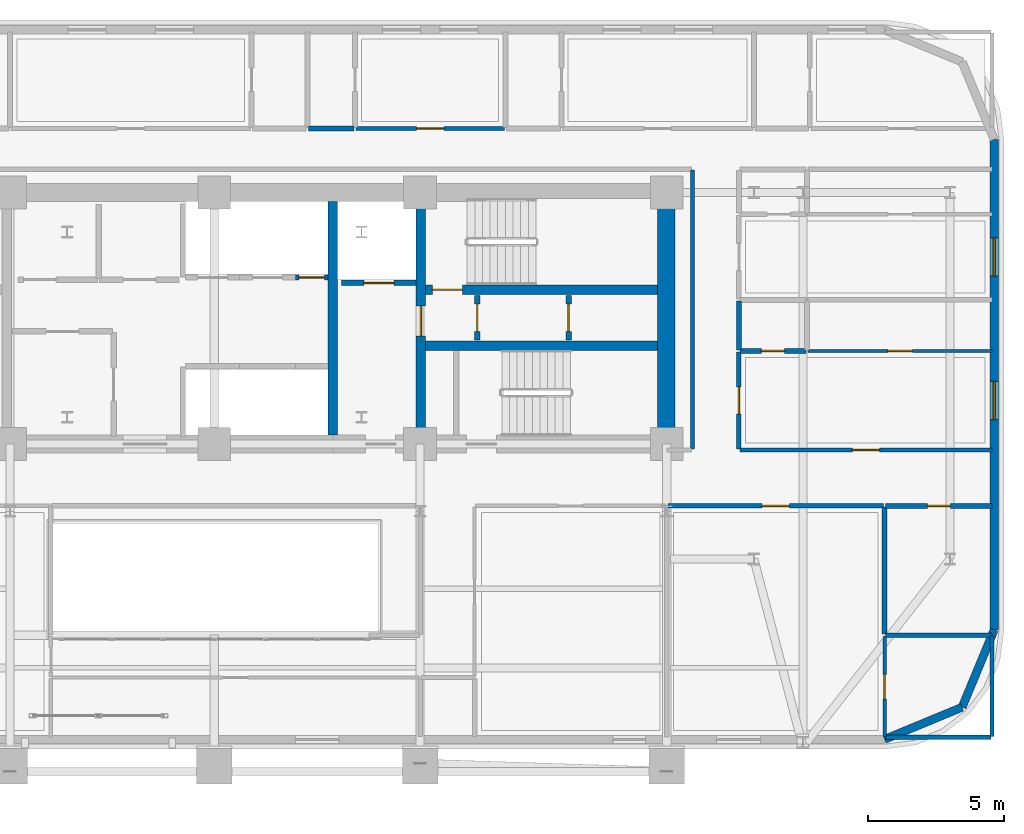
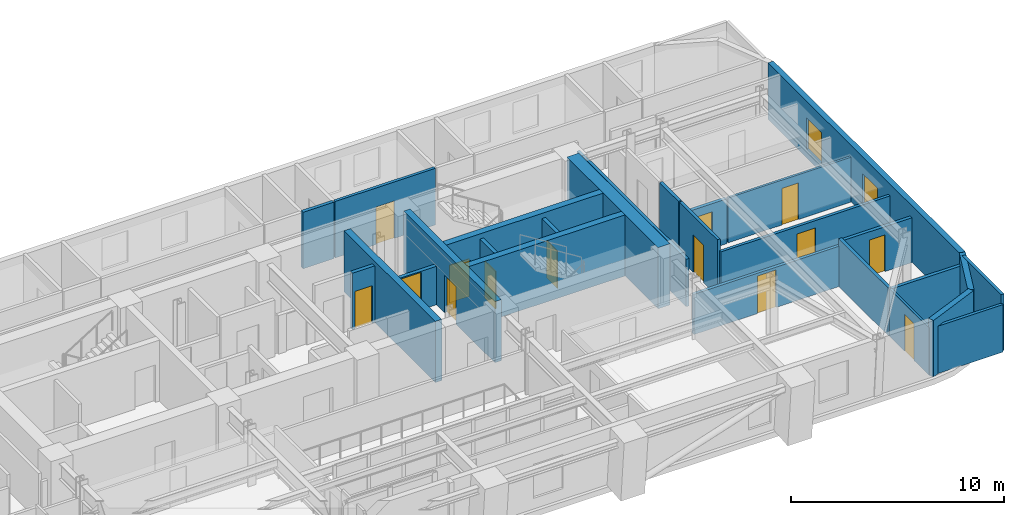
# One storey, part 11 of 15: 27 walls, 14 doors, 2 windows, 16 openings.
"""IFC4 building model written with IfcOpenShell, lengths in metres."""

import ifcopenshell
import ifcopenshell.guid

model = None  # the IFC model being written
_history = None  # IfcOwnerHistory: only IFC2X3 demands one
_inside = {}  # id of a spatial element -> (the spatial element, [elements in it])
_under = {}  # id of a project, library or spatial element -> (it, [spatial elements below it])
_declared = {}  # id of a project -> (the project, [libraries it declares])
_typed = {}  # id of a type object -> (the type object, [elements of that type])
_made_of = {}  # id of a material, layer set ... -> (it, [elements and type objects made of it])


def new_model(schema):
    """Start an empty IFC model of exactly this schema.

    Asked for "IFC4X3", IfcOpenShell would pick the latest addendum, in which some entities
    have other attributes; the version numbers below select the first issue.
    IFC2X3 requires an IfcOwnerHistory on every rooted entity: one is made here for all.
    """
    global model, _history
    if schema == "IFC4X3":
        model = ifcopenshell.file(schema_version=(4, 3, 0, 0))
    else:
        model = ifcopenshell.file(schema=schema)
    _inside.clear()
    _under.clear()
    _declared.clear()
    _typed.clear()
    _made_of.clear()
    _history = None
    if model.schema == "IFC2X3":
        org = make("IfcOrganization", Name="unknown")
        user = make(
            "IfcPersonAndOrganization",
            ThePerson=make("IfcPerson", FamilyName="unknown"),
            TheOrganization=org,
        )
        app = make(
            "IfcApplication",
            ApplicationDeveloper=org,
            Version="unknown",
            ApplicationFullName="unknown",
            ApplicationIdentifier="unknown",
        )
        _history = make(
            "IfcOwnerHistory",
            OwningUser=user,
            OwningApplication=app,
            ChangeAction="ADDED",
            CreationDate=0,
        )
    return model


def make(cls, **values):
    """One entity of the class cls with the attributes given. An attribute that is None is left unset."""
    return model.create_entity(
        cls, **{name: value for name, value in values.items() if value is not None}
    )


def rooted(cls, **values):
    """An entity with a GlobalId (a new one), such as an element, a storey or a relation."""
    return make(cls, GlobalId=ifcopenshell.guid.new(), OwnerHistory=_history, **values)


def si_unit(unit_type, name, prefix=None):
    """IfcSIUnit, for example si_unit("LENGTHUNIT", "METRE", prefix="MILLI")."""
    return make("IfcSIUnit", UnitType=unit_type, Prefix=prefix, Name=name)


def assignment(units):
    """IfcUnitAssignment: the units of a project."""
    return None if units is None else make("IfcUnitAssignment", Units=units)


def point(xyz):
    """IfcCartesianPoint."""
    return None if xyz is None else make("IfcCartesianPoint", Coordinates=xyz)


def direction(xyz):
    """IfcDirection."""
    return None if xyz is None else make("IfcDirection", DirectionRatios=xyz)


def frame(location, z_axis=None, x_axis=None):
    """IfcAxis2Placement3D, a coordinate frame: its origin and axes. An axis left out is left unset."""
    return make(
        "IfcAxis2Placement3D",
        Location=point(location),
        Axis=direction(z_axis),
        RefDirection=direction(x_axis),
    )


def frame_2d(location, x_axis=None):
    """IfcAxis2Placement2D, a coordinate frame in the plane: its origin and x axis."""
    return make(
        "IfcAxis2Placement2D", Location=point(location), RefDirection=direction(x_axis)
    )


def origin():
    """The frame at (0, 0, 0) with its axes left unset."""
    return frame((0.0, 0.0, 0.0))


def place(relative_to, where):
    """IfcLocalPlacement: puts the frame where relative to a parent placement (None: the world)."""
    return make(
        "IfcLocalPlacement", PlacementRelTo=relative_to, RelativePlacement=where
    )


def context(
    kind, dimensions, precision=None, world=None, true_north=None, identifier=None
):
    """IfcGeometricRepresentationContext, for example the 3D "Model" context."""
    return make(
        "IfcGeometricRepresentationContext",
        ContextIdentifier=identifier,
        ContextType=kind,
        CoordinateSpaceDimension=dimensions,
        Precision=precision,
        WorldCoordinateSystem=world,
        TrueNorth=true_north,
    )


def subcontext(parent, identifier, kind, view, scale=None):
    """IfcGeometricRepresentationSubContext, for example "Body" below "Model"."""
    return make(
        "IfcGeometricRepresentationSubContext",
        ContextIdentifier=identifier,
        ContextType=kind,
        ParentContext=parent,
        TargetScale=scale,
        TargetView=view,
    )


def project(units=None, contexts=None):
    """IfcProject with its units and contexts."""
    return rooted(
        "IfcProject",
        Name="project",
        RepresentationContexts=contexts,
        UnitsInContext=assignment(units),
    )


def spatial(cls, under=None, at=None, **own):
    """A site, building, storey or space (cls), placed at a placement, below another one or the project."""
    s = rooted(cls, ObjectPlacement=at, **own)
    if under is not None:
        _under.setdefault(under.id(), (under, []))[1].append(s)
    return s


def profile(cls, at=None, kind="AREA", **sizes):
    """A parametric profile (cls). Its sizes go by their IFC names, for example OverallWidth=200.0."""
    return make(cls, ProfileType=kind, Position=at, **sizes)


def rectangle(**sizes):
    """IfcRectangleProfileDef."""
    return profile("IfcRectangleProfileDef", **sizes)


def extrude(swept, where, along, depth):
    """IfcExtrudedAreaSolid: the profile swept, set in the frame where, extruded along a direction by depth."""
    return make(
        "IfcExtrudedAreaSolid",
        SweptArea=swept,
        Position=where,
        ExtrudedDirection=direction(along),
        Depth=depth,
    )


def shape(context_of_items, identifier, shape_type, items):
    """IfcShapeRepresentation: the items that make up one representation, for example the "Body"."""
    return make(
        "IfcShapeRepresentation",
        ContextOfItems=context_of_items,
        RepresentationIdentifier=identifier,
        RepresentationType=shape_type,
        Items=items,
    )


def material(Name=None, Category=None):
    """IfcMaterial."""
    return make("IfcMaterial", Name=Name, Category=Category)


def layer(
    of_material, thickness, ventilated=None, Name=None, Category=None, Priority=None
):
    """IfcMaterialLayer: one layer of a wall or slab, of a material (None: an air gap)."""
    return make(
        "IfcMaterialLayer",
        Material=of_material,
        LayerThickness=thickness,
        IsVentilated=ventilated,
        Name=Name,
        Category=Category,
        Priority=Priority,
    )


def layer_set(layers, Name=None):
    """IfcMaterialLayerSet."""
    return make("IfcMaterialLayerSet", MaterialLayers=layers, LayerSetName=Name)


def made_of(thing, what):
    """Note that an element or type object is made of a material, layer set ...; save() writes the relation."""
    if what is not None:
        _made_of.setdefault(what.id(), (what, []))[1].append(thing)
    return thing


def type_object(cls, material=None, **own):
    """A type object (cls), such as IfcWallType, which elements share."""
    return made_of(rooted(cls, **own), material)


def element(
    cls,
    number,
    at=None,
    inside=None,
    cuts=None,
    type_object=None,
    material=None,
    context=None,
    identifier="Body",
    shape_type=None,
    held_by="IfcProductDefinitionShape",
    body=None,
    shapes=None,
    **own,
):
    """One element of the class cls, such as IfcWall. Its Tag is "e" and its number.

    at: its placement. inside: the storey or other place that contains it. cuts: it is an
    opening in that element (IfcRelVoidsElement). A single representation is given by context,
    identifier, shape_type and body (its items); several are given by shapes. held_by: the class
    of the entity that holds the representations. save() writes the other relations.
    """
    e = rooted(cls, Tag="e%d" % number, ObjectPlacement=at, **own)
    if body is not None:
        shapes = [shape(context, identifier, shape_type, body)]
    if shapes is not None:
        e.Representation = make(held_by, Representations=shapes)
    if inside is not None:
        _inside.setdefault(inside.id(), (inside, []))[1].append(e)
    if cuts is not None:
        rooted(
            "IfcRelVoidsElement", RelatingBuildingElement=cuts, RelatedOpeningElement=e
        )
    if type_object is not None:
        _typed.setdefault(type_object.id(), (type_object, []))[1].append(e)
    return made_of(e, material)


def fill(opening, filler):
    """IfcRelFillsElement: the door or window that sits in an opening."""
    return rooted(
        "IfcRelFillsElement",
        RelatingOpeningElement=opening,
        RelatedBuildingElement=filler,
    )


def aggregate(whole, parts):
    """IfcRelAggregates: a whole, such as a stair, and the parts it consists of."""
    return rooted("IfcRelAggregates", RelatingObject=whole, RelatedObjects=parts)


def save(model, path):
    """Write the relations noted so far, then the file.

    IfcRelAggregates (storeys below a building ...), IfcRelContainedInSpatialStructure (elements
    in a storey), IfcRelDefinesByType, IfcRelAssociatesMaterial and IfcRelDeclares: one each for
    every whole, place, type object, material and project.
    """
    for whole, parts in _under.values():
        aggregate(whole, parts)
    for where, things in _inside.values():
        rooted(
            "IfcRelContainedInSpatialStructure",
            RelatedElements=things,
            RelatingStructure=where,
        )
    for kind, things in _typed.values():
        rooted("IfcRelDefinesByType", RelatedObjects=things, RelatingType=kind)
    for what, things in _made_of.values():
        rooted("IfcRelAssociatesMaterial", RelatedObjects=things, RelatingMaterial=what)
    for by, libraries in _declared.values():
        rooted("IfcRelDeclares", RelatingContext=by, RelatedDefinitions=libraries)
    model.write(path)


model = new_model("IFC4")

# Units and contexts
model_context = context("Model", 3, precision=1e-05, world=origin(), true_north=direction((0.0, 1.0)))
body_context = subcontext(model_context, "Body", "Model", "MODEL_VIEW")
ifc_project = project(units=[si_unit("LENGTHUNIT", "METRE"), si_unit("AREAUNIT", "SQUARE_METRE"), si_unit("VOLUMEUNIT", "CUBIC_METRE"), si_unit("PLANEANGLEUNIT", "RADIAN"), si_unit("MASSUNIT", "GRAM", prefix="KILO")], contexts=[model_context])

# Site, building, storey
site_placement = place(None, origin())
site = spatial("IfcSite", under=ifc_project, at=site_placement, CompositionType="ELEMENT")
building_placement = place(site_placement, origin())
building = spatial("IfcBuilding", under=site, at=building_placement, Name="Zarnavel Station Tower", CompositionType="ELEMENT")
storey_placement = place(building_placement, frame((0.0, 0.0, 111.800048828125)))
storey = spatial("IfcBuildingStorey", under=building, at=storey_placement, Name="L30", CompositionType="ELEMENT", Elevation=111.800048828125)

# Wall
ifc_material_1 = material(Name="Concrete C50/60", Category="concrete")
ifc_layer_1 = layer(ifc_material_1, 0.35009765625)
ifc_layer_set_1 = layer_set([ifc_layer_1], Name="CW_350")
wall_type_1 = type_object("IfcWallType", Name="CW_350", PredefinedType="SHEAR", material=ifc_layer_set_1)
wall_1_placement = place(storey_placement, frame((33.14990234375, 28.14501953125, 0.0), z_axis=(0.0, 0.0, 1.0), x_axis=(0.0, 1.0, 0.0)))
element("IfcWall", 1, at=wall_1_placement, inside=storey, type_object=wall_type_1, Name="L30 Rear Core Shear Wall DIV-E", PredefinedType="SHEAR", context=body_context, shape_type="SweptSolid", body=[
    extrude(rectangle(XDim=8.580078125, YDim=0.35009765625, at=frame_2d((4.2900390625, 0.0))), origin(), (0.0, 0.0, 1.0), 3.5),
])

# Wall, opening, door
wall_2_placement = place(storey_placement, frame((36.3798828125, 28.14501953125, 0.0), z_axis=(0.0, 0.0, 1.0), x_axis=(0.0, 1.0, 0.0)))
wall_2 = element("IfcWall", 2, at=wall_2_placement, inside=storey, type_object=wall_type_1, Name="L30 Rear Core Shear Wall DIV-S2", PredefinedType="SHEAR", context=body_context, shape_type="SweptSolid", body=[
    extrude(rectangle(XDim=8.580078125, YDim=0.35009765625, at=frame_2d((4.2900390625, 0.0))), origin(), (0.0, 0.0, 1.0), 3.5),
])
opening_1_placement = place(wall_2_placement, frame((3.635009765625, 0.0, 0.0)))
opening_1 = element("IfcOpeningElement", 3, at=opening_1_placement, cuts=wall_2, Name="Opening FD01", PredefinedType="OPENING", context=body_context, shape_type="SweptSolid", body=[
    extrude(rectangle(XDim=1.10009765625, YDim=2.14990234375, at=frame_2d((0.550048828125, 1.074951171875))), frame((0.0, 0.18505859375, 0.0), z_axis=(0.0, -1.0, 0.0), x_axis=(1.0, 0.0, 0.0)), (0.0, 0.0, 1.0), 0.3701171875),
])
ifc_material_2 = material(Name="Painted Galvanised Steel and Hardwood Leaf", Category="steel")
door_type_1 = type_object("IfcDoorType", Name="ID_STAIR_1100", OperationType="NOTDEFINED", PredefinedType="DOOR", material=ifc_material_2)
door_1_placement = place(opening_1_placement, origin())
door_1 = element("IfcDoor", 4, at=door_1_placement, inside=storey, type_object=door_type_1, Name="L30 East Stair Vestibule Fire Door", OperationType="SINGLE_SWING_LEFT", OverallHeight=2.14990234375, OverallWidth=1.10009765625, PredefinedType="DOOR", context=body_context, shape_type="SweptSolid", body=[
    extrude(rectangle(XDim=1.10009765625, YDim=2.14990234375, at=frame_2d((0.550048828125, 1.074951171875))), frame((0.0, 0.02490234375, 0.0), z_axis=(0.0, -1.0, 0.0), x_axis=(1.0, 0.0, 0.0)), (0.0, 0.0, 1.0), 0.050048828125),
])
fill(opening_1, door_1)

wall_3_placement = place(storey_placement, frame((45.054931640625, 33.47998046875, 0.0), z_axis=(0.0, 0.0, 1.0), x_axis=(-1.0, 0.0, 0.0)))
wall_3 = element("IfcWall", 5, at=wall_3_placement, inside=storey, type_object=wall_type_1, Name="L30 Rear Core Shear Wall DIV-H2", PredefinedType="SHEAR", context=body_context, shape_type="SweptSolid", body=[
    extrude(rectangle(XDim=8.5, YDim=0.35009765625, at=frame_2d((4.25, 0.0))), origin(), (0.0, 0.0, 1.0), 3.5),
])
opening_2_placement = place(wall_3_placement, frame((7.155029296875, 0.0, 0.0)))
opening_2 = element("IfcOpeningElement", 6, at=opening_2_placement, cuts=wall_3, Name="Opening FD01", PredefinedType="OPENING", context=body_context, shape_type="SweptSolid", body=[
    extrude(rectangle(XDim=1.10009765625, YDim=2.14990234375, at=frame_2d((0.550048828125, 1.074951171875))), frame((0.0, 0.18505859375, 0.0), z_axis=(0.0, -1.0, 0.0), x_axis=(1.0, 0.0, 0.0)), (0.0, 0.0, 1.0), 0.3701171875),
])
door_2_placement = place(opening_2_placement, origin())
door_2 = element("IfcDoor", 7, at=door_2_placement, inside=storey, type_object=door_type_1, Name="L30 Stair ST2 Lobby Fire Door", OperationType="SINGLE_SWING_RIGHT", OverallHeight=2.14990234375, OverallWidth=1.10009765625, PredefinedType="DOOR", context=body_context, shape_type="SweptSolid", body=[
    extrude(rectangle(XDim=1.10009765625, YDim=2.14990234375, at=frame_2d((0.550048828125, 1.074951171875))), frame((0.0, 0.02490234375, 0.0), z_axis=(0.0, -1.0, 0.0), x_axis=(1.0, 0.0, 0.0)), (0.0, 0.0, 1.0), 0.050048828125),
])
fill(opening_2, door_2)

# Walls
wall_4_placement = place(storey_placement, frame((36.554931640625, 31.419921875, 0.0), z_axis=(0.0, 0.0, 1.0), x_axis=(1.0, 0.0, 0.0)))
element("IfcWall", 8, at=wall_4_placement, inside=storey, type_object=wall_type_1, Name="L30 Rear Core Shear Wall DIV-H3", PredefinedType="SHEAR", context=body_context, shape_type="SweptSolid", body=[
    extrude(rectangle(XDim=8.5, YDim=0.35009765625, at=frame_2d((4.25, 0.0))), origin(), (0.0, 0.0, 1.0), 3.5),
])
ifc_material_3 = material(Name="Concrete C60/75", Category="concrete")
ifc_layer_2 = layer(ifc_material_3, 0.64990234375)
ifc_layer_set_2 = layer_set([ifc_layer_2], Name="CW_650")
wall_type_2 = type_object("IfcWallType", Name="CW_650", PredefinedType="SHEAR", material=ifc_layer_set_2)
wall_5_placement = place(storey_placement, frame((45.3798828125, 28.14501953125, 0.0), z_axis=(0.0, 0.0, 1.0), x_axis=(0.0, 1.0, 0.0)))
element("IfcWall", 9, at=wall_5_placement, inside=storey, type_object=wall_type_2, Name="L30 Rear Core Shear Wall E", PredefinedType="SHEAR", context=body_context, shape_type="SweptSolid", body=[
    extrude(rectangle(XDim=8.580078125, YDim=0.64990234375, at=frame_2d((4.2900390625, 0.0))), origin(), (0.0, 0.0, 1.0), 3.5),
])
ifc_material_4 = material(Name="Precast concrete C45/55 (Dark Basalt Finish)", Category="masonry")
ifc_layer_3 = layer(ifc_material_4, 0.300048828125)
ifc_layer_set_3 = layer_set([ifc_layer_3], Name="EW_BASALT_300")
wall_type_3 = type_object("IfcWallType", Name="EW_BASALT_300", PredefinedType="SOLIDWALL", material=ifc_layer_set_3)
wall_6_placement = place(storey_placement, frame((56.24267578125, 18.157470703125, 0.0), z_axis=(0.0, 0.0, 1.0), x_axis=(-0.923882414032, -0.382676475685, 0.0)))
element("IfcWall", 10, at=wall_6_placement, inside=storey, type_object=wall_type_3, Name="L30 Exterior Basalt Masonry Frame Wall 01", PredefinedType="SOLIDWALL", context=body_context, shape_type="SweptSolid", body=[
    extrude(rectangle(XDim=3.076904296875, YDim=0.300048828125, at=frame_2d((1.53857421875, 0.0))), origin(), (0.0, 0.0, 1.0), 3.239990234375),
])
wall_7_placement = place(storey_placement, frame((57.419921875, 21.0, 0.0), z_axis=(0.0, 0.0, 1.0), x_axis=(-0.382636798336, -0.92389884758, 0.0)))
element("IfcWall", 11, at=wall_7_placement, inside=storey, type_object=wall_type_3, Name="L30 Exterior Basalt Masonry Frame Wall 02", PredefinedType="SOLIDWALL", context=body_context, shape_type="SweptSolid", body=[
    extrude(rectangle(XDim=3.07666015625, YDim=0.300048828125, at=frame_2d((1.538330078125, 0.0))), origin(), (0.0, 0.0, 1.0), 3.239990234375),
])

# Wall, openings, windows
wall_8_placement = place(storey_placement, frame((57.419921875, 39.0, 0.0), z_axis=(0.0, 0.0, 1.0), x_axis=(0.0, -1.0, 0.0)))
wall_8 = element("IfcWall", 12, at=wall_8_placement, inside=storey, type_object=wall_type_3, Name="L30 Exterior Basalt Masonry Frame Wall 03", PredefinedType="SOLIDWALL", context=body_context, shape_type="SweptSolid", body=[
    extrude(rectangle(XDim=18.0, YDim=0.300048828125, at=frame_2d((9.0, 0.0))), origin(), (0.0, 0.0, 1.0), 3.239990234375),
])
opening_3_placement = place(wall_8_placement, frame((8.882080078125, 0.0, 0.47998046875)))
opening_3 = element("IfcOpeningElement", 13, at=opening_3_placement, cuts=wall_8, Name="Opening WN01", PredefinedType="OPENING", context=body_context, shape_type="SweptSolid", body=[
    extrude(rectangle(XDim=1.39990234375, YDim=1.800048828125, at=frame_2d((0.699951171875, 0.89990234375))), frame((0.0, 0.159912109375, 0.0), z_axis=(0.0, -1.0, 0.0), x_axis=(1.0, 0.0, 0.0)), (0.0, 0.0, 1.0), 0.320068359375),
])
opening_4_placement = place(wall_8_placement, frame((3.62060546875, 0.0, 0.47998046875)))
opening_4 = element("IfcOpeningElement", 14, at=opening_4_placement, cuts=wall_8, Name="Opening WN01", PredefinedType="OPENING", context=body_context, shape_type="SweptSolid", body=[
    extrude(rectangle(XDim=1.39990234375, YDim=1.800048828125, at=frame_2d((0.699951171875, 0.89990234375))), frame((0.0, 0.159912109375, 0.0), z_axis=(0.0, -1.0, 0.0), x_axis=(1.0, 0.0, 0.0)), (0.0, 0.0, 1.0), 0.320068359375),
])
ifc_material_5 = material(Name="Thermally Broken Black Aluminium and Low-E Dark Glass", Category="aluminium")
window_type = type_object("IfcWindowType", Name="WN_1400x1800", PartitioningType="DOUBLE_PANEL_VERTICAL", PredefinedType="WINDOW", material=ifc_material_5)
window_1_placement = place(opening_3_placement, origin())
window_1 = element("IfcWindow", 15, at=window_1_placement, inside=storey, type_object=window_type, Name="L30 Recessed Facade Window 01", OverallHeight=1.800048828125, OverallWidth=1.39990234375, PartitioningType="SINGLE_PANEL", PredefinedType="WINDOW", context=body_context, shape_type="SweptSolid", body=[
    extrude(rectangle(XDim=1.39990234375, YDim=1.800048828125, at=frame_2d((0.699951171875, 0.89990234375))), frame((0.0, 0.030029296875, 0.0), z_axis=(0.0, -1.0, 0.0), x_axis=(1.0, 0.0, 0.0)), (0.0, 0.0, 1.0), 0.06005859375),
])
fill(opening_3, window_1)
window_2_placement = place(opening_4_placement, origin())
window_2 = element("IfcWindow", 16, at=window_2_placement, inside=storey, type_object=window_type, Name="L30 Recessed Facade Window 02", OverallHeight=1.800048828125, OverallWidth=1.39990234375, PartitioningType="SINGLE_PANEL", PredefinedType="WINDOW", context=body_context, shape_type="SweptSolid", body=[
    extrude(rectangle(XDim=1.39990234375, YDim=1.800048828125, at=frame_2d((0.699951171875, 0.89990234375))), frame((0.0, 0.030029296875, 0.0), z_axis=(0.0, -1.0, 0.0), x_axis=(1.0, 0.0, 0.0)), (0.0, 0.0, 1.0), 0.06005859375),
])
fill(opening_4, window_2)

# Wall, opening, door
ifc_material_6 = material(Name="Gypsum Twin-Stud Acoustic Fire Partition", Category="concrete")
ifc_layer_4 = layer(ifc_material_6, 0.159912109375)
ifc_layer_set_4 = layer_set([ifc_layer_4], Name="PT_DEMISE_160")
wall_type_4 = type_object("IfcWallType", Name="PT_DEMISE_160", PredefinedType="PARTITIONING", material=ifc_layer_set_4)
wall_9_placement = place(storey_placement, frame((48.090087890625, 27.60009765625, 0.0), z_axis=(0.0, 0.0, 1.0), x_axis=(1.0, 0.0, 0.0)))
wall_9 = element("IfcWall", 17, at=wall_9_placement, inside=storey, type_object=wall_type_4, Name="L30 Partition COR-S-FNE1R", PredefinedType="PARTITIONING", context=body_context, shape_type="SweptSolid", body=[
    extrude(rectangle(XDim=9.25, YDim=0.159912109375, at=frame_2d((4.625, 0.0))), origin(), (0.0, 0.0, 1.0), 2.570068359375),
])
opening_5_placement = place(wall_9_placement, frame((4.125, 0.0, 0.0)))
opening_5 = element("IfcOpeningElement", 18, at=opening_5_placement, cuts=wall_9, Name="Opening FD02", PredefinedType="OPENING", context=body_context, shape_type="SweptSolid", body=[
    extrude(rectangle(XDim=1.0, YDim=2.14990234375, at=frame_2d((0.5, 1.074951171875))), frame((0.0, 0.08984375, 0.0), z_axis=(0.0, -1.0, 0.0), x_axis=(1.0, 0.0, 0.0)), (0.0, 0.0, 1.0), 0.179931640625),
])
ifc_material_7 = material(Name="Painted Galvanised Steel and Hardwood Leaf", Category="steel")
door_type_2 = type_object("IfcDoorType", Name="ID_ENTRY_1000", OperationType="NOTDEFINED", PredefinedType="DOOR", material=ifc_material_7)
door_3_placement = place(opening_5_placement, origin())
door_3 = element("IfcDoor", 19, at=door_3_placement, inside=storey, type_object=door_type_2, Name="L30 Door COR-S-FNE1R", OperationType="SINGLE_SWING_RIGHT", OverallHeight=2.14990234375, OverallWidth=1.0, PredefinedType="DOOR", context=body_context, shape_type="SweptSolid", body=[
    extrude(rectangle(XDim=1.0, YDim=2.14990234375, at=frame_2d((0.5, 1.074951171875))), frame((0.0, 0.02490234375, 0.0), z_axis=(0.0, -1.0, 0.0), x_axis=(1.0, 0.0, 0.0)), (0.0, 0.0, 1.0), 0.050048828125),
])
fill(opening_5, door_3)

wall_10_placement = place(storey_placement, frame((45.43994140625, 25.550048828125, 0.0), z_axis=(0.0, 0.0, 1.0), x_axis=(1.0, 0.0, 0.0)))
wall_10 = element("IfcWall", 20, at=wall_10_placement, inside=storey, type_object=wall_type_4, Name="L30 Partition COR-S-L29FOY", PredefinedType="PARTITIONING", context=body_context, shape_type="SweptSolid", body=[
    extrude(rectangle(XDim=7.920166015625, YDim=0.159912109375, at=frame_2d((3.9599609375, 0.0))), origin(), (0.0, 0.0, 1.0), 2.31005859375),
])
opening_6_placement = place(wall_10_placement, frame((3.4599609375, 0.0, 0.0)))
opening_6 = element("IfcOpeningElement", 21, at=opening_6_placement, cuts=wall_10, Name="Opening FD02", PredefinedType="OPENING", context=body_context, shape_type="SweptSolid", body=[
    extrude(rectangle(XDim=1.0, YDim=2.14990234375, at=frame_2d((0.5, 1.074951171875))), frame((0.0, 0.08984375, 0.0), z_axis=(0.0, -1.0, 0.0), x_axis=(1.0, 0.0, 0.0)), (0.0, 0.0, 1.0), 0.179931640625),
])
door_4_placement = place(opening_6_placement, origin())
door_4 = element("IfcDoor", 22, at=door_4_placement, inside=storey, type_object=door_type_2, Name="L30 Door COR-S-L29FOY", OperationType="SINGLE_SWING_RIGHT", OverallHeight=2.14990234375, OverallWidth=1.0, PredefinedType="DOOR", context=body_context, shape_type="SweptSolid", body=[
    extrude(rectangle(XDim=1.0, YDim=2.14990234375, at=frame_2d((0.5, 1.074951171875))), frame((0.0, 0.02490234375, 0.0), z_axis=(0.0, -1.0, 0.0), x_axis=(1.0, 0.0, 0.0)), (0.0, 0.0, 1.0), 0.050048828125),
])
fill(opening_6, door_4)

wall_11_placement = place(storey_placement, frame((48.050048828125, 27.639892578125, 0.0), z_axis=(0.0, 0.0, 1.0), x_axis=(0.0, 1.0, 0.0)))
wall_11 = element("IfcWall", 23, at=wall_11_placement, inside=storey, type_object=wall_type_4, Name="L30 Partition COR-E-FNE1R", PredefinedType="PARTITIONING", context=body_context, shape_type="SweptSolid", body=[
    extrude(rectangle(XDim=3.55615234375, YDim=0.159912109375, at=frame_2d((1.778076171875, 0.0))), origin(), (0.0, 0.0, 1.0), 3.239990234375),
])
opening_7_placement = place(wall_11_placement, frame((1.278076171875, 0.0, 0.0)))
opening_7 = element("IfcOpeningElement", 24, at=opening_7_placement, cuts=wall_11, Name="Opening FD02", PredefinedType="OPENING", context=body_context, shape_type="SweptSolid", body=[
    extrude(rectangle(XDim=1.0, YDim=2.14990234375, at=frame_2d((0.5, 1.074951171875))), frame((0.0, 0.08984375, 0.0), z_axis=(0.0, -1.0, 0.0), x_axis=(1.0, 0.0, 0.0)), (0.0, 0.0, 1.0), 0.179931640625),
])
door_5_placement = place(opening_7_placement, origin())
door_5 = element("IfcDoor", 25, at=door_5_placement, inside=storey, type_object=door_type_2, Name="L30 Door COR-E-FNE1R", OperationType="SINGLE_SWING_RIGHT", OverallHeight=2.14990234375, OverallWidth=1.0, PredefinedType="DOOR", context=body_context, shape_type="SweptSolid", body=[
    extrude(rectangle(XDim=1.0, YDim=2.14990234375, at=frame_2d((0.5, 1.074951171875))), frame((0.0, 0.02490234375, 0.0), z_axis=(0.0, -1.0, 0.0), x_axis=(1.0, 0.0, 0.0)), (0.0, 0.0, 1.0), 0.050048828125),
])
fill(opening_7, door_5)

wall_12_placement = place(storey_placement, frame((33.9970703125, 39.39990234375, 0.0), z_axis=(0.0, 0.0, 1.0), x_axis=(1.0, 0.0, 0.0)))
wall_12 = element("IfcWall", 26, at=wall_12_placement, inside=storey, type_object=wall_type_4, Name="L30 Partition COR-N-HN3R", PredefinedType="PARTITIONING", context=body_context, shape_type="SweptSolid", body=[
    extrude(rectangle(XDim=5.447998046875, YDim=0.159912109375, at=frame_2d((2.72412109375, 0.0))), origin(), (0.0, 0.0, 1.0), 3.239990234375),
])
opening_8_placement = place(wall_12_placement, frame((2.22412109375, 0.0, 0.0)))
opening_8 = element("IfcOpeningElement", 27, at=opening_8_placement, cuts=wall_12, Name="Opening FD02", PredefinedType="OPENING", context=body_context, shape_type="SweptSolid", body=[
    extrude(rectangle(XDim=1.0, YDim=2.14990234375, at=frame_2d((0.5, 1.074951171875))), frame((0.0, 0.08984375, 0.0), z_axis=(0.0, -1.0, 0.0), x_axis=(1.0, 0.0, 0.0)), (0.0, 0.0, 1.0), 0.179931640625),
])
door_6_placement = place(opening_8_placement, origin())
door_6 = element("IfcDoor", 28, at=door_6_placement, inside=storey, type_object=door_type_2, Name="L30 Door COR-N-HN3R", OperationType="SINGLE_SWING_LEFT", OverallHeight=2.14990234375, OverallWidth=1.0, PredefinedType="DOOR", context=body_context, shape_type="SweptSolid", body=[
    extrude(rectangle(XDim=1.0, YDim=2.14990234375, at=frame_2d((0.5, 1.074951171875))), frame((0.0, 0.02490234375, 0.0), z_axis=(0.0, -1.0, 0.0), x_axis=(1.0, 0.0, 0.0)), (0.0, 0.0, 1.0), 0.050048828125),
])
fill(opening_8, door_6)

# Walls
wall_13_placement = place(storey_placement, frame((46.35009765625, 27.6298828125, 0.0), z_axis=(0.0, 0.0, 1.0), x_axis=(0.0, 1.0, 0.0)))
element("IfcWall", 29, at=wall_13_placement, inside=storey, type_object=wall_type_4, Name="L30 Enclosure Wall COR-E", PredefinedType="PARTITIONING", context=body_context, shape_type="SweptSolid", body=[
    extrude(rectangle(XDim=10.240234375, YDim=0.159912109375, at=frame_2d((5.1201171875, 0.0))), origin(), (0.0, 0.0, 1.0), 2.719970703125),
])
wall_14_placement = place(storey_placement, frame((53.429931640625, 17.06005859375, 0.0), z_axis=(0.0, 0.0, 1.0), x_axis=(1.0, 0.0, 0.0)))
element("IfcWall", 30, at=wall_14_placement, inside=storey, type_object=wall_type_4, Name="L30 Enclosure Wall L29STR", PredefinedType="PARTITIONING", context=body_context, shape_type="SweptSolid", body=[
    extrude(rectangle(XDim=3.880126953125, YDim=0.159912109375, at=frame_2d((1.93994140625, 0.0))), origin(), (0.0, 0.0, 1.0), 2.719970703125),
])
wall_15_placement = place(storey_placement, frame((57.340087890625, 17.090087890625, 0.0), z_axis=(0.0, 0.0, 1.0), x_axis=(0.0, 1.0, 0.0)))
element("IfcWall", 31, at=wall_15_placement, inside=storey, type_object=wall_type_4, Name="L30 Enclosure Wall L29STR", PredefinedType="PARTITIONING", context=body_context, shape_type="SweptSolid", body=[
    extrude(rectangle(XDim=3.679931640625, YDim=0.159912109375, at=frame_2d((1.83984375, 0.0))), origin(), (0.0, 0.0, 1.0), 3.239990234375),
])

# Wall, opening, door
ifc_material_8 = material(Name="Gypsum Metal-Stud Interior Partition", Category="concrete")
ifc_layer_5 = layer(ifc_material_8, 0.1201171875)
ifc_layer_set_5 = layer_set([ifc_layer_5], Name="PT_ROOM_120")
wall_type_5 = type_object("IfcWallType", Name="PT_ROOM_120", PredefinedType="PARTITIONING", material=ifc_layer_set_5)
wall_16_placement = place(storey_placement, frame((50.590087890625, 31.236083984375, 0.0), z_axis=(0.0, 0.0, 1.0), x_axis=(1.0, 0.0, 0.0)))
wall_16 = element("IfcWall", 32, at=wall_16_placement, inside=storey, type_object=wall_type_5, Name="L30 Partition FNE1R-FNE1S", PredefinedType="PARTITIONING", context=body_context, shape_type="SweptSolid", body=[
    extrude(rectangle(XDim=6.75, YDim=0.1201171875, at=frame_2d((3.375, 0.0))), origin(), (0.0, 0.0, 1.0), 2.570068359375),
])
opening_9_placement = place(wall_16_placement, frame((2.925048828125, 0.0, 0.0)))
opening_9 = element("IfcOpeningElement", 33, at=opening_9_placement, cuts=wall_16, Name="Opening ID01", PredefinedType="OPENING", context=body_context, shape_type="SweptSolid", body=[
    extrude(rectangle(XDim=0.89990234375, YDim=2.10009765625, at=frame_2d((0.449951171875, 1.050048828125))), frame((0.0, 0.070068359375, 0.0), z_axis=(0.0, -1.0, 0.0), x_axis=(1.0, 0.0, 0.0)), (0.0, 0.0, 1.0), 0.14013671875),
])
ifc_material_9 = material(Name="Painted Galvanised Steel and Hardwood Leaf", Category="steel")
door_type_3 = type_object("IfcDoorType", Name="ID_ROOM_900", OperationType="NOTDEFINED", PredefinedType="DOOR", material=ifc_material_9)
door_7_placement = place(opening_9_placement, origin())
door_7 = element("IfcDoor", 34, at=door_7_placement, inside=storey, type_object=door_type_3, Name="L30 Door FNE1R-FNE1S", OperationType="SINGLE_SWING_RIGHT", OverallHeight=2.10009765625, OverallWidth=0.89990234375, PredefinedType="DOOR", context=body_context, shape_type="SweptSolid", body=[
    extrude(rectangle(XDim=0.89990234375, YDim=2.10009765625, at=frame_2d((0.449951171875, 1.050048828125))), frame((0.0, 0.02490234375, 0.0), z_axis=(0.0, -1.0, 0.0), x_axis=(1.0, 0.0, 0.0)), (0.0, 0.0, 1.0), 0.050048828125),
])
fill(opening_9, door_7)

wall_17_placement = place(storey_placement, frame((53.39990234375, 17.06005859375, 0.0), z_axis=(0.0, 0.0, 1.0), x_axis=(0.0, 1.0, 0.0)))
wall_17 = element("IfcWall", 35, at=wall_17_placement, inside=storey, type_object=wall_type_5, Name="L30 Partition L29FOY-L29STR", PredefinedType="PARTITIONING", context=body_context, shape_type="SweptSolid", body=[
    extrude(rectangle(XDim=3.699951171875, YDim=0.1201171875, at=frame_2d((1.85009765625, 0.0))), origin(), (0.0, 0.0, 1.0), 2.719970703125),
])
opening_10_placement = place(wall_17_placement, frame((1.39990234375, 0.0, 0.0)))
opening_10 = element("IfcOpeningElement", 36, at=opening_10_placement, cuts=wall_17, Name="Opening ID01", PredefinedType="OPENING", context=body_context, shape_type="SweptSolid", body=[
    extrude(rectangle(XDim=0.89990234375, YDim=2.10009765625, at=frame_2d((0.449951171875, 1.050048828125))), frame((0.0, 0.070068359375, 0.0), z_axis=(0.0, -1.0, 0.0), x_axis=(1.0, 0.0, 0.0)), (0.0, 0.0, 1.0), 0.14013671875),
])
door_8_placement = place(opening_10_placement, origin())
door_8 = element("IfcDoor", 37, at=door_8_placement, inside=storey, type_object=door_type_3, Name="L30 Door L29FOY-L29STR", OperationType="SINGLE_SWING_RIGHT", OverallHeight=2.10009765625, OverallWidth=0.89990234375, PredefinedType="DOOR", context=body_context, shape_type="SweptSolid", body=[
    extrude(rectangle(XDim=0.89990234375, YDim=2.10009765625, at=frame_2d((0.449951171875, 1.050048828125))), frame((0.0, 0.02490234375, 0.0), z_axis=(0.0, -1.0, 0.0), x_axis=(1.0, 0.0, 0.0)), (0.0, 0.0, 1.0), 0.050048828125),
])
fill(opening_10, door_8)

ifc_material_10 = material(Name="Precast concrete C45/55 (Fire Shaft Blockwork)", Category="masonry")
ifc_layer_6 = layer(ifc_material_10, 0.199951171875)
ifc_layer_set_6 = layer_set([ifc_layer_6], Name="PT_SHAFT_200")
wall_type_6 = type_object("IfcWallType", Name="PT_SHAFT_200", PredefinedType="PARTITIONING", material=ifc_layer_set_6)
wall_18_placement = place(storey_placement, frame((33.47509765625, 33.72998046875, 0.0), z_axis=(0.0, 0.0, 1.0), x_axis=(1.0, 0.0, 0.0)))
wall_18 = element("IfcWall", 38, at=wall_18_placement, inside=storey, type_object=wall_type_6, Name="L30 Lift FFL-02 Shaft Front Wall", PredefinedType="PARTITIONING", context=body_context, shape_type="SweptSolid", body=[
    extrude(rectangle(XDim=2.724853515625, YDim=0.199951171875, at=frame_2d((1.3623046875, 0.0))), origin(), (0.0, 0.0, 1.0), 2.2119140625),
])
opening_11_placement = place(wall_18_placement, frame((0.8125, 0.0, 0.0)))
opening_11 = element("IfcOpeningElement", 39, at=opening_11_placement, cuts=wall_18, Name="Opening LD01", PredefinedType="OPENING", context=body_context, shape_type="SweptSolid", body=[
    extrude(rectangle(XDim=1.10009765625, YDim=2.14990234375, at=frame_2d((0.550048828125, 1.074951171875))), frame((0.0, 0.10986328125, 0.0), z_axis=(0.0, -1.0, 0.0), x_axis=(1.0, 0.0, 0.0)), (0.0, 0.0, 1.0), 0.219970703125),
])
ifc_material_11 = material(Name="Painted Galvanised Steel and Hardwood Leaf", Category="steel")
door_type_4 = type_object("IfcDoorType", Name="LD_FF_1100", OperationType="DOUBLE_DOOR_SLIDING", PredefinedType="DOOR", material=ifc_material_11)
door_9_placement = place(opening_11_placement, origin())
door_9 = element("IfcDoor", 40, at=door_9_placement, inside=storey, type_object=door_type_4, Name="L30 Lift FFL-02 Sliding Landing Door", OperationType="DOUBLE_DOOR_SLIDING", OverallHeight=2.14990234375, OverallWidth=1.10009765625, PredefinedType="DOOR", context=body_context, shape_type="SweptSolid", body=[
    extrude(rectangle(XDim=1.10009765625, YDim=2.14990234375, at=frame_2d((0.550048828125, 1.074951171875))), frame((0.0, 0.02490234375, 0.0), z_axis=(0.0, -1.0, 0.0), x_axis=(1.0, 0.0, 0.0)), (0.0, 0.0, 1.0), 0.050048828125),
])
fill(opening_11, door_9)

wall_19_placement = place(storey_placement, frame((31.77490234375, 33.929931640625, 0.0), z_axis=(0.0, 0.0, 1.0), x_axis=(1.0, 0.0, 0.0)))
wall_19 = element("IfcWall", 41, at=wall_19_placement, inside=storey, type_object=wall_type_6, Name="L30 Lift PL-M3 Shaft Front Wall", PredefinedType="PARTITIONING", context=body_context, shape_type="SweptSolid", body=[
    extrude(rectangle(XDim=1.2001953125, YDim=0.199951171875, at=frame_2d((0.60009765625, 0.0))), origin(), (0.0, 0.0, 1.0), 3.239990234375),
])
opening_12_placement = place(wall_19_placement, frame((0.125, 0.0, 0.0)))
opening_12 = element("IfcOpeningElement", 42, at=opening_12_placement, cuts=wall_19, Name="Opening LD03", PredefinedType="OPENING", context=body_context, shape_type="SweptSolid", body=[
    extrude(rectangle(XDim=0.949951171875, YDim=2.14990234375, at=frame_2d((0.47509765625, 1.074951171875))), frame((0.0, 0.10986328125, 0.0), z_axis=(0.0, -1.0, 0.0), x_axis=(1.0, 0.0, 0.0)), (0.0, 0.0, 1.0), 0.219970703125),
])
ifc_material_12 = material(Name="Painted Galvanised Steel and Hardwood Leaf", Category="steel")
door_type_5 = type_object("IfcDoorType", Name="LD_PAX_0950", OperationType="DOUBLE_DOOR_SLIDING", PredefinedType="DOOR", material=ifc_material_12)
door_10_placement = place(opening_12_placement, origin())
door_10 = element("IfcDoor", 43, at=door_10_placement, inside=storey, type_object=door_type_5, Name="L30 Lift PL-M3 Sliding Landing Door", OperationType="DOUBLE_DOOR_SLIDING", OverallHeight=2.14990234375, OverallWidth=0.949951171875, PredefinedType="DOOR", context=body_context, shape_type="SweptSolid", body=[
    extrude(rectangle(XDim=0.949951171875, YDim=2.14990234375, at=frame_2d((0.47509765625, 1.074951171875))), frame((0.0, 0.02490234375, 0.0), z_axis=(0.0, -1.0, 0.0), x_axis=(1.0, 0.0, 0.0)), (0.0, 0.0, 1.0), 0.050048828125),
])
fill(opening_12, door_10)

wall_20_placement = place(storey_placement, frame((38.449951171875, 31.639892578125, 0.0), z_axis=(0.0, 0.0, 1.0), x_axis=(0.0, 1.0, 0.0)))
wall_20 = element("IfcWall", 44, at=wall_20_placement, inside=storey, type_object=wall_type_6, Name="L30 Partition ESTV-CEA", PredefinedType="PARTITIONING", context=body_context, shape_type="SweptSolid", body=[
    extrude(rectangle(XDim=1.6201171875, YDim=0.199951171875, at=frame_2d((0.81005859375, 0.0))), origin(), (0.0, 0.0, 1.0), 3.239990234375),
])
opening_13_placement = place(wall_20_placement, frame((0.31005859375, 0.0, 0.0)))
opening_13 = element("IfcOpeningElement", 45, at=opening_13_placement, cuts=wall_20, Name="Opening FD02", PredefinedType="OPENING", context=body_context, shape_type="SweptSolid", body=[
    extrude(rectangle(XDim=1.0, YDim=2.14990234375, at=frame_2d((0.5, 1.074951171875))), frame((0.0, 0.10986328125, 0.0), z_axis=(0.0, -1.0, 0.0), x_axis=(1.0, 0.0, 0.0)), (0.0, 0.0, 1.0), 0.219970703125),
])
door_11_placement = place(opening_13_placement, origin())
door_11 = element("IfcDoor", 46, at=door_11_placement, inside=storey, type_object=door_type_2, Name="L30 Door ESTV-CEA", OperationType="SINGLE_SWING_LEFT", OverallHeight=2.14990234375, OverallWidth=1.0, PredefinedType="DOOR", context=body_context, shape_type="SweptSolid", body=[
    extrude(rectangle(XDim=1.0, YDim=2.14990234375, at=frame_2d((0.5, 1.074951171875))), frame((0.0, 0.02490234375, 0.0), z_axis=(0.0, -1.0, 0.0), x_axis=(1.0, 0.0, 0.0)), (0.0, 0.0, 1.0), 0.050048828125),
])
fill(opening_13, door_11)

wall_21_placement = place(storey_placement, frame((41.800048828125, 31.639892578125, 0.0), z_axis=(0.0, 0.0, 1.0), x_axis=(0.0, 1.0, 0.0)))
wall_21 = element("IfcWall", 47, at=wall_21_placement, inside=storey, type_object=wall_type_6, Name="L30 Partition CEA-CEB", PredefinedType="PARTITIONING", context=body_context, shape_type="SweptSolid", body=[
    extrude(rectangle(XDim=1.6201171875, YDim=0.199951171875, at=frame_2d((0.81005859375, 0.0))), origin(), (0.0, 0.0, 1.0), 3.239990234375),
])
opening_14_placement = place(wall_21_placement, frame((0.31005859375, 0.0, 0.0)))
opening_14 = element("IfcOpeningElement", 48, at=opening_14_placement, cuts=wall_21, Name="Opening FD02", PredefinedType="OPENING", context=body_context, shape_type="SweptSolid", body=[
    extrude(rectangle(XDim=1.0, YDim=2.14990234375, at=frame_2d((0.5, 1.074951171875))), frame((0.0, 0.10986328125, 0.0), z_axis=(0.0, -1.0, 0.0), x_axis=(1.0, 0.0, 0.0)), (0.0, 0.0, 1.0), 0.219970703125),
])
door_12_placement = place(opening_14_placement, origin())
door_12 = element("IfcDoor", 49, at=door_12_placement, inside=storey, type_object=door_type_2, Name="L30 Door CEA-CEB", OperationType="SINGLE_SWING_RIGHT", OverallHeight=2.14990234375, OverallWidth=1.0, PredefinedType="DOOR", context=body_context, shape_type="SweptSolid", body=[
    extrude(rectangle(XDim=1.0, YDim=2.14990234375, at=frame_2d((0.5, 1.074951171875))), frame((0.0, 0.02490234375, 0.0), z_axis=(0.0, -1.0, 0.0), x_axis=(1.0, 0.0, 0.0)), (0.0, 0.0, 1.0), 0.050048828125),
])
fill(opening_14, door_12)

ifc_material_13 = material(Name="Moisture-Resistant Plumbing Chase Wall", Category="concrete")
ifc_layer_7 = layer(ifc_material_13, 0.179931640625)
ifc_layer_set_7 = layer_set([ifc_layer_7], Name="PW_PLUMB_180")
wall_type_7 = type_object("IfcWallType", Name="PW_PLUMB_180", PredefinedType="PLUMBINGWALL", material=ifc_layer_set_7)
wall_22_placement = place(storey_placement, frame((53.43994140625, 25.550048828125, 0.0), z_axis=(0.0, 0.0, 1.0), x_axis=(1.0, 0.0, 0.0)))
wall_22 = element("IfcWall", 50, at=wall_22_placement, inside=storey, type_object=wall_type_7, Name="L30 Partition COR-S-L29WCS", PredefinedType="PLUMBINGWALL", context=body_context, shape_type="SweptSolid", body=[
    extrude(rectangle(XDim=3.900146484375, YDim=0.179931640625, at=frame_2d((1.9501953125, 0.0))), origin(), (0.0, 0.0, 1.0), 2.570068359375),
])
opening_15_placement = place(wall_22_placement, frame((1.52490234375, 0.0, 0.0)))
opening_15 = element("IfcOpeningElement", 51, at=opening_15_placement, cuts=wall_22, Name="Opening ID02", PredefinedType="OPENING", context=body_context, shape_type="SweptSolid", body=[
    extrude(rectangle(XDim=0.85009765625, YDim=2.10009765625, at=frame_2d((0.425048828125, 1.050048828125))), frame((0.0, 0.099853515625, 0.0), z_axis=(0.0, -1.0, 0.0), x_axis=(1.0, 0.0, 0.0)), (0.0, 0.0, 1.0), 0.199951171875),
])
ifc_material_14 = material(Name="Painted Galvanised Steel and Hardwood Leaf", Category="steel")
door_type_6 = type_object("IfcDoorType", Name="ID_BATH_850", OperationType="NOTDEFINED", PredefinedType="DOOR", material=ifc_material_14)
door_13_placement = place(opening_15_placement, origin())
door_13 = element("IfcDoor", 52, at=door_13_placement, inside=storey, type_object=door_type_6, Name="L30 Door COR-S-L29WCS", OperationType="SINGLE_SWING_LEFT", OverallHeight=2.10009765625, OverallWidth=0.85009765625, PredefinedType="DOOR", context=body_context, shape_type="SweptSolid", body=[
    extrude(rectangle(XDim=0.85009765625, YDim=2.10009765625, at=frame_2d((0.425048828125, 1.050048828125))), frame((0.0, 0.02490234375, 0.0), z_axis=(0.0, -1.0, 0.0), x_axis=(1.0, 0.0, 0.0)), (0.0, 0.0, 1.0), 0.050048828125),
])
fill(opening_15, door_13)

# Walls
wall_23_placement = place(storey_placement, frame((48.050048828125, 31.27587890625, 0.0), z_axis=(0.0, 0.0, 1.0), x_axis=(0.0, 1.0, 0.0)))
element("IfcWall", 53, at=wall_23_placement, inside=storey, type_object=wall_type_7, Name="L30 Partition COR-E-FNE1B", PredefinedType="PLUMBINGWALL", context=body_context, shape_type="SweptSolid", body=[
    extrude(rectangle(XDim=1.793212890625, YDim=0.179931640625, at=frame_2d((0.896484375, 0.0))), origin(), (0.0, 0.0, 1.0), 3.239990234375),
])
wall_24_placement = place(storey_placement, frame((32.2509765625, 39.39990234375, 0.0), z_axis=(0.0, 0.0, 1.0), x_axis=(1.0, 0.0, 0.0)))
element("IfcWall", 54, at=wall_24_placement, inside=storey, type_object=wall_type_7, Name="L30 Partition COR-N-HN3B", PredefinedType="PLUMBINGWALL", context=body_context, shape_type="SweptSolid", body=[
    extrude(rectangle(XDim=1.666015625, YDim=0.179931640625, at=frame_2d((0.8330078125, 0.0))), origin(), (0.0, 0.0, 1.0), 3.239990234375),
])

# Wall, opening, door
wall_25_placement = place(storey_placement, frame((48.090087890625, 31.236083984375, 0.0), z_axis=(0.0, 0.0, 1.0), x_axis=(1.0, 0.0, 0.0)))
wall_25 = element("IfcWall", 55, at=wall_25_placement, inside=storey, type_object=wall_type_7, Name="L30 Partition FNE1R-FNE1B", PredefinedType="PLUMBINGWALL", context=body_context, shape_type="SweptSolid", body=[
    extrude(rectangle(XDim=2.419921875, YDim=0.179931640625, at=frame_2d((1.2099609375, 0.0))), origin(), (0.0, 0.0, 1.0), 2.570068359375),
])
opening_16_placement = place(wall_25_placement, frame((0.784912109375, 0.0, 0.0)))
opening_16 = element("IfcOpeningElement", 56, at=opening_16_placement, cuts=wall_25, Name="Opening ID02", PredefinedType="OPENING", context=body_context, shape_type="SweptSolid", body=[
    extrude(rectangle(XDim=0.85009765625, YDim=2.10009765625, at=frame_2d((0.425048828125, 1.050048828125))), frame((0.0, 0.099853515625, 0.0), z_axis=(0.0, -1.0, 0.0), x_axis=(1.0, 0.0, 0.0)), (0.0, 0.0, 1.0), 0.199951171875),
])
door_14_placement = place(opening_16_placement, origin())
door_14 = element("IfcDoor", 57, at=door_14_placement, inside=storey, type_object=door_type_6, Name="L30 Door FNE1R-FNE1B", OperationType="SINGLE_SWING_LEFT", OverallHeight=2.10009765625, OverallWidth=0.85009765625, PredefinedType="DOOR", context=body_context, shape_type="SweptSolid", body=[
    extrude(rectangle(XDim=0.85009765625, YDim=2.10009765625, at=frame_2d((0.425048828125, 1.050048828125))), frame((0.0, 0.02490234375, 0.0), z_axis=(0.0, -1.0, 0.0), x_axis=(1.0, 0.0, 0.0)), (0.0, 0.0, 1.0), 0.050048828125),
])
fill(opening_16, door_14)

# Walls
wall_26_placement = place(storey_placement, frame((53.39990234375, 20.840087890625, 0.0), z_axis=(0.0, 0.0, 1.0), x_axis=(0.0, 1.0, 0.0)))
element("IfcWall", 58, at=wall_26_placement, inside=storey, type_object=wall_type_7, Name="L30 Partition L29FOY-L29WCS", PredefinedType="PLUMBINGWALL", context=body_context, shape_type="SweptSolid", body=[
    extrude(rectangle(XDim=4.669921875, YDim=0.179931640625, at=frame_2d((2.3349609375, 0.0))), origin(), (0.0, 0.0, 1.0), 2.719970703125),
])
wall_27_placement = place(storey_placement, frame((53.43994140625, 20.800048828125, 0.0), z_axis=(0.0, 0.0, 1.0), x_axis=(1.0, 0.0, 0.0)))
element("IfcWall", 59, at=wall_27_placement, inside=storey, type_object=wall_type_7, Name="L30 Partition L29STR-L29WCS", PredefinedType="PLUMBINGWALL", context=body_context, shape_type="SweptSolid", body=[
    extrude(rectangle(XDim=3.900146484375, YDim=0.179931640625, at=frame_2d((1.9501953125, 0.0))), origin(), (0.0, 0.0, 1.0), 2.719970703125),
])

save(model, "model.ifc")
